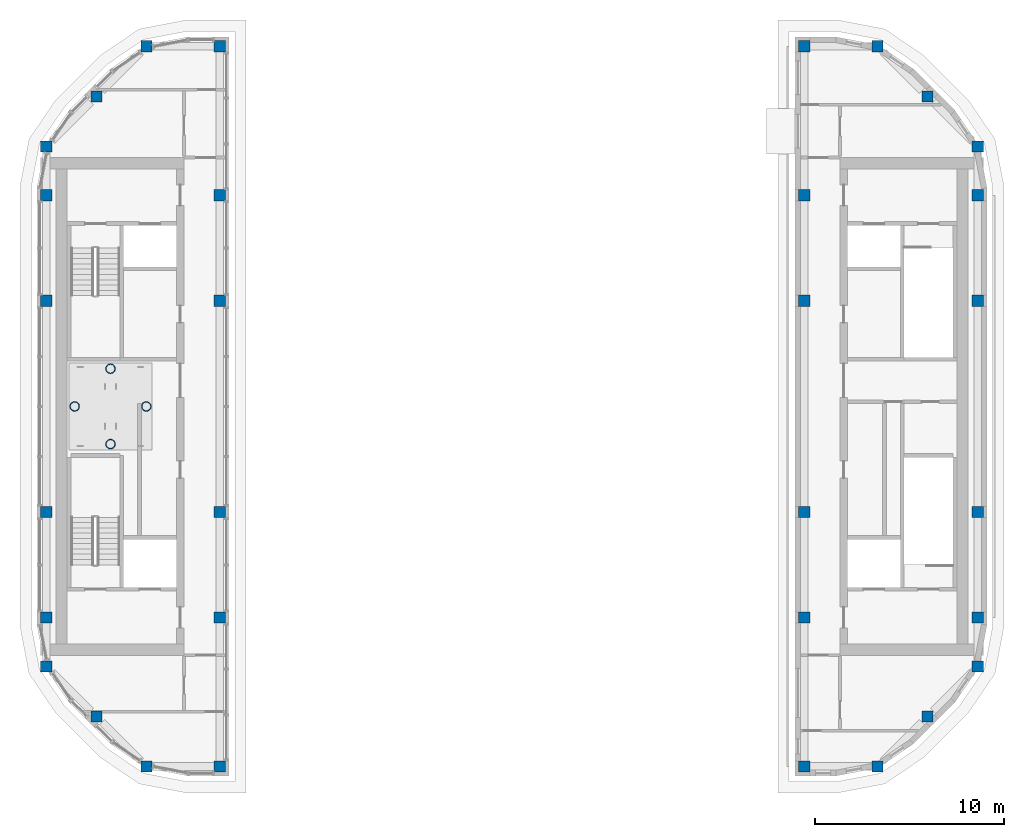
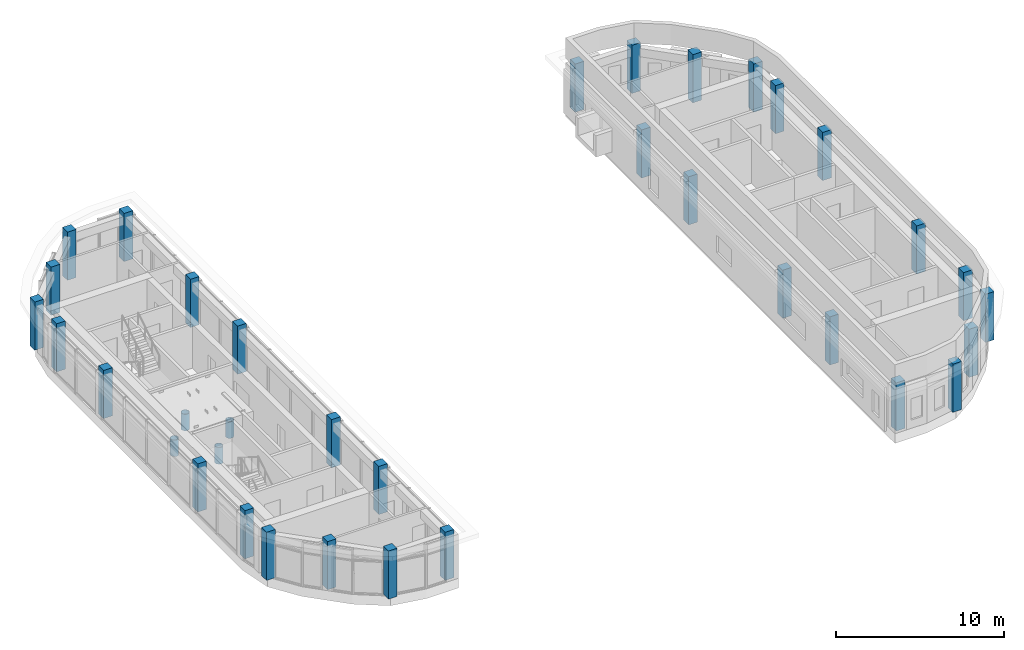
# One storey, part 1 of 16: 36 columns.
"""IFC4 building model written with IfcOpenShell, lengths in metres."""

from ifc_helpers import new_model, si_unit, direction, frame, origin, origin_2d, place, context, subcontext, project, spatial, rectangle, hollow_circle, extrude, material, material_profile, profile_set, type_object, element, save


model = new_model("IFC4")

# Units and contexts
model_context = context("Model", 3, precision=1e-05, world=origin(), true_north=direction((0.0, 1.0)))
body_context = subcontext(model_context, "Body", "Model", "MODEL_VIEW")
ifc_project = project(units=[si_unit("LENGTHUNIT", "METRE"), si_unit("AREAUNIT", "SQUARE_METRE"), si_unit("VOLUMEUNIT", "CUBIC_METRE"), si_unit("PLANEANGLEUNIT", "RADIAN"), si_unit("MASSUNIT", "GRAM", prefix="KILO")], contexts=[model_context])

# Site, building, storey
site_placement = place(None, origin())
site = spatial("IfcSite", under=ifc_project, at=site_placement, CompositionType="ELEMENT")
building_placement = place(site_placement, origin())
building = spatial("IfcBuilding", under=site, at=building_placement, Name="Kiln Ring Residences", CompositionType="ELEMENT")
storey_placement = place(building_placement, frame((0.0, 0.0, 313.89990234375)))
storey = spatial("IfcBuildingStorey", under=building, at=storey_placement, Name="L81 Crown", CompositionType="ELEMENT", Elevation=313.89990234375)

# Columns
ifc_material_1 = material(Name="Concrete C60/75", Category="concrete")
ifc_material_profile_1 = material_profile(ifc_material_1, rectangle(XDim=0.60009765625, YDim=0.60009765625, at=origin_2d()), Name="RC600x600")
ifc_profile_set_1 = profile_set([ifc_material_profile_1], Name="Concrete C60/75")
column_type_1 = type_object("IfcColumnType", Name="Crown column RC600x600 C60/75", PredefinedType="COLUMN", material=ifc_profile_set_1)
for number, where, z_axis, x_axis, name in (
    (1, (-24.699951171875, -13.79296875, 0.0), (0.0, 0.0, 1.0), (1.0, 0.0, 0.0), "Crown column L81 Crown 1"),
    (2, (-24.699951171875, -11.199951171875, 0.0), (0.0, 0.0, 1.0), (1.0, 0.0, 0.0), "Crown column L81 Crown 2"),
    (3, (-24.699951171875, -5.60009765625, 0.0), (0.0, 0.0, 1.0), (1.0, 0.0, 0.0), "Crown column L81 Crown 3"),
    (4, (-24.699951171875, 5.60009765625, 0.0), (0.0, 0.0, 1.0), (1.0, 0.0, 0.0), "Crown column L81 Crown 4"),
    (5, (-24.699951171875, 11.199951171875, 0.0), (0.0, 0.0, 1.0), (1.0, 0.0, 0.0), "Crown column L81 Crown 5"),
    (6, (-24.699951171875, 13.79296875, 0.0), (0.0, 0.0, 1.0), (1.0, 0.0, 0.0), "Crown column L81 Crown 6"),
    (7, (-22.04638671875, -16.4462890625, 0.0), (0.0, 0.0, 1.0), (1.0, 0.0, 0.0), "Crown column L81 Crown 7"),
    (8, (-22.04638671875, 16.4462890625, 0.0), (0.0, 0.0, 1.0), (1.0, 0.0, 0.0), "Crown column L81 Crown 8"),
    (9, (-19.392822265625, -19.10009765625, 0.0), (0.0, 0.0, 1.0), (1.0, 0.0, 0.0), "Crown column L81 Crown 9"),
    (10, (-19.392822265625, 19.10009765625, 0.0), (0.0, 0.0, 1.0), (1.0, 0.0, 0.0), "Crown column L81 Crown 10"),
    (11, (-15.5, -19.10009765625, 0.0), (0.0, 0.0, 1.0), (1.0, 0.0, 0.0), "Crown column L81 Crown 11"),
    (12, (-15.5, -11.199951171875, 0.0), (0.0, 0.0, 1.0), (1.0, 0.0, 0.0), "Crown column L81 Crown 12"),
    (13, (-15.5, -5.60009765625, 0.0), (0.0, 0.0, 1.0), (1.0, 0.0, 0.0), "Crown column L81 Crown 13"),
    (14, (-15.5, 5.60009765625, 0.0), (0.0, 0.0, 1.0), (1.0, 0.0, 0.0), "Crown column L81 Crown 14"),
    (15, (-15.5, 11.199951171875, 0.0), (0.0, 0.0, 1.0), (1.0, 0.0, 0.0), "Crown column L81 Crown 15"),
    (16, (-15.5, 19.10009765625, 0.0), (0.0, 0.0, 1.0), (1.0, 0.0, 0.0), "Crown column L81 Crown 16"),
    (17, (15.5, -19.10009765625, 0.0), (0.0, 0.0, 1.0), (1.0, 0.0, 0.0), "Crown column L81 Crown 17"),
    (18, (15.5, -11.199951171875, 0.0), (0.0, 0.0, 1.0), (1.0, 0.0, 0.0), "Crown column L81 Crown 18"),
    (19, (15.5, -5.60009765625, 0.0), (0.0, 0.0, 1.0), (1.0, 0.0, 0.0), "Crown column L81 Crown 19"),
    (20, (15.5, 5.60009765625, 0.0), (0.0, 0.0, 1.0), (1.0, 0.0, 0.0), "Crown column L81 Crown 20"),
    (21, (15.5, 11.199951171875, 0.0), (0.0, 0.0, 1.0), (1.0, 0.0, 0.0), "Crown column L81 Crown 21"),
    (22, (15.5, 19.10009765625, 0.0), (0.0, 0.0, 1.0), (1.0, 0.0, 0.0), "Crown column L81 Crown 22"),
    (23, (19.392822265625, -19.10009765625, 0.0), (0.0, 0.0, 1.0), (1.0, 0.0, 0.0), "Crown column L81 Crown 23"),
    (24, (19.392822265625, 19.10009765625, 0.0), (0.0, 0.0, 1.0), (1.0, 0.0, 0.0), "Crown column L81 Crown 24"),
    (25, (22.04638671875, -16.4462890625, 0.0), (0.0, 0.0, 1.0), (1.0, 0.0, 0.0), "Crown column L81 Crown 25"),
    (26, (22.04638671875, 16.4462890625, 0.0), (0.0, 0.0, 1.0), (1.0, 0.0, 0.0), "Crown column L81 Crown 26"),
    (27, (24.699951171875, -13.79296875, 0.0), (0.0, 0.0, 1.0), (1.0, 0.0, 0.0), "Crown column L81 Crown 27"),
    (28, (24.699951171875, -11.199951171875, 0.0), (0.0, 0.0, 1.0), (1.0, 0.0, 0.0), "Crown column L81 Crown 28"),
    (29, (24.699951171875, -5.60009765625, 0.0), (0.0, 0.0, 1.0), (1.0, 0.0, 0.0), "Crown column L81 Crown 29"),
    (30, (24.699951171875, 5.60009765625, 0.0), (0.0, 0.0, 1.0), (1.0, 0.0, 0.0), "Crown column L81 Crown 30"),
    (31, (24.699951171875, 11.199951171875, 0.0), (0.0, 0.0, 1.0), (1.0, 0.0, 0.0), "Crown column L81 Crown 31"),
    (32, (24.699951171875, 13.79296875, 0.0), (0.0, 0.0, 1.0), (1.0, 0.0, 0.0), "Crown column L81 Crown 32"),
):
    element("IfcColumn", number, at=place(storey_placement, frame(where, z_axis=z_axis, x_axis=x_axis)), inside=storey, type_object=column_type_1, Name=name, PredefinedType="COLUMN", context=body_context, shape_type="SweptSolid", body=[
        extrude(rectangle(XDim=0.60009765625, YDim=0.60009765625, at=origin_2d()), origin(), (0.0, 0.0, 1.0), 3.5),
    ])
ifc_material_2 = material(Name="Steel S355", Category="steel")
ifc_material_profile_2 = material_profile(ifc_material_2, hollow_circle(Radius=0.25390625, WallThickness=0.02490234375, at=origin_2d()), Name="CHS508x25")
ifc_profile_set_2 = profile_set([ifc_material_profile_2], Name="Steel S355")
column_type_2 = type_object("IfcColumnType", Name="Spring bearing CHS508x25 S355", PredefinedType="COLUMN", material=ifc_profile_set_2)
for number, where, z_axis, x_axis, name in (
    (33, (-23.199951171875, 0.0, 0.0), (0.0, 0.0, 1.0), (1.0, 0.0, 0.0), "Spring bearing L81 Crown 1"),
    (34, (-19.39990234375, 0.0, 0.0), (0.0, 0.0, 1.0), (1.0, 0.0, 0.0), "Spring bearing L81 Crown 2"),
    (35, (-21.300048828125, -2.0, 0.0), (0.0, 0.0, 1.0), (1.0, 0.0, 0.0), "Spring bearing L81 Crown 3"),
    (36, (-21.300048828125, 2.0, 0.0), (0.0, 0.0, 1.0), (1.0, 0.0, 0.0), "Spring bearing L81 Crown 4"),
):
    element("IfcColumn", number, at=place(storey_placement, frame(where, z_axis=z_axis, x_axis=x_axis)), inside=storey, type_object=column_type_2, Name=name, PredefinedType="COLUMN", context=body_context, shape_type="SweptSolid", body=[
        extrude(hollow_circle(Radius=0.25390625, WallThickness=0.02490234375, at=origin_2d()), origin(), (0.0, 0.0, 1.0), 1.2001953125),
    ])

save(model, "model.ifc")
